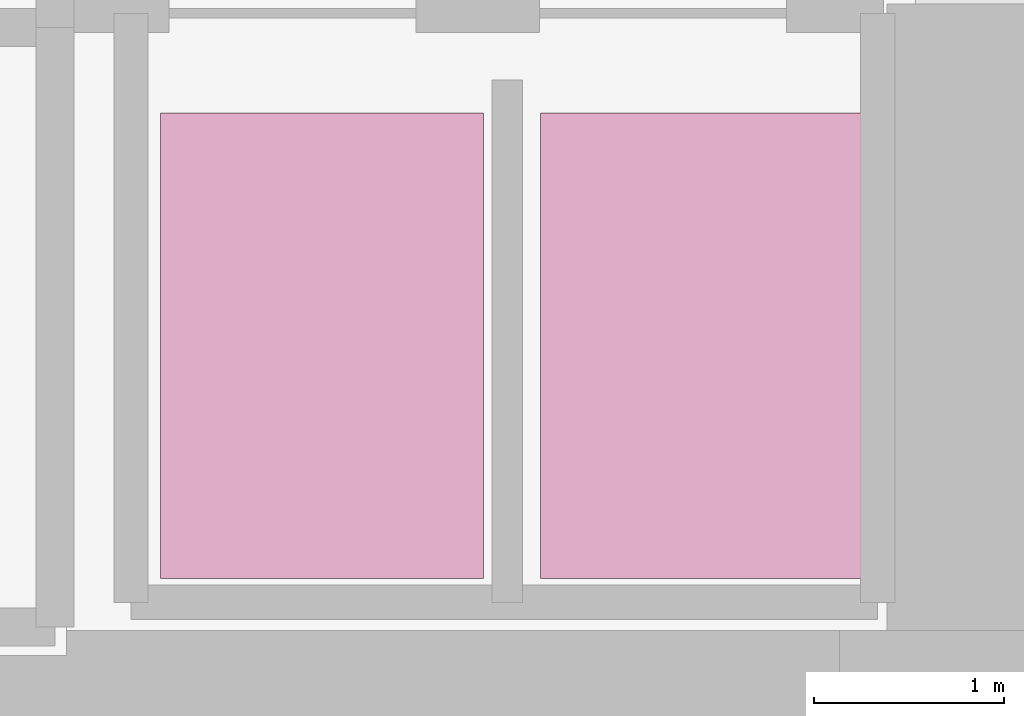
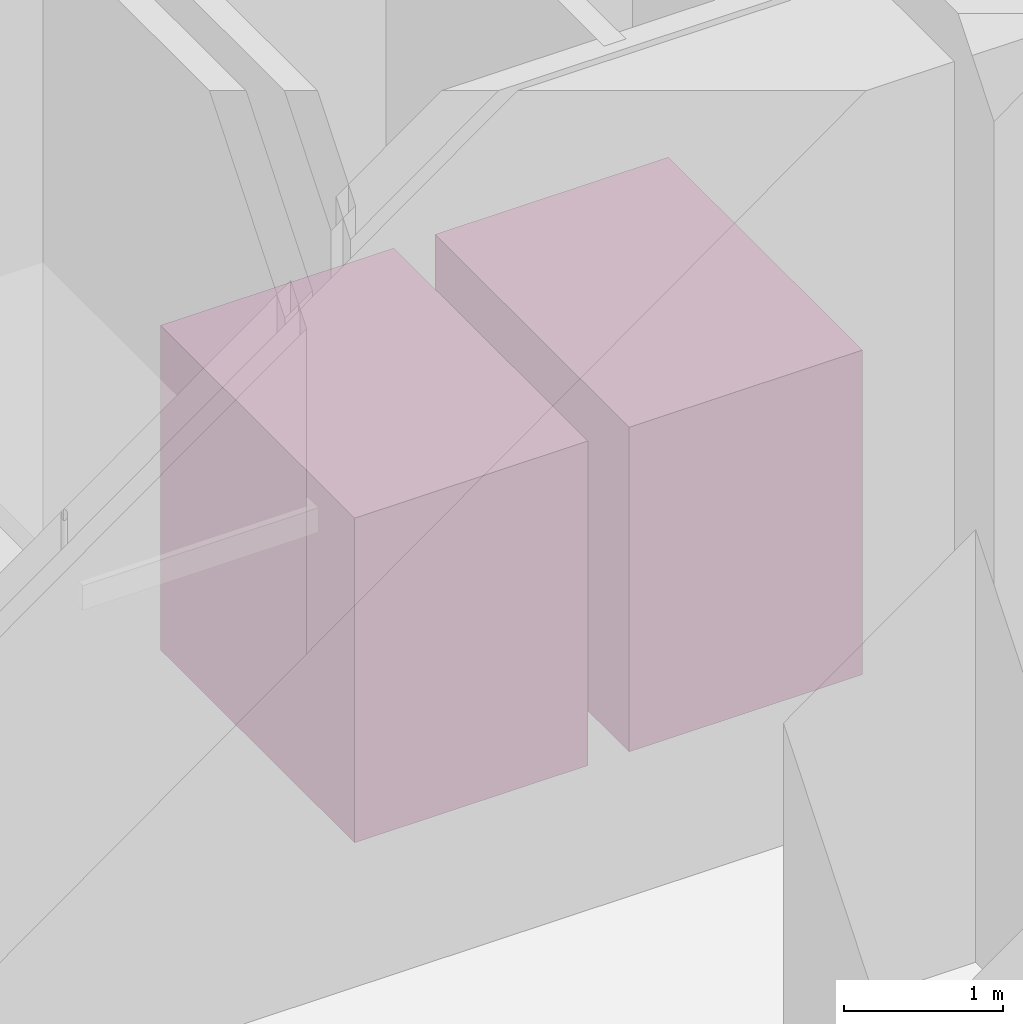
# One storey, part 37 of 37: 2 transport elements.
"""IFC4 building model written with IfcOpenShell, lengths in metres."""

import ifcopenshell
import ifcopenshell.guid

model = None  # the IFC model being written
_history = None  # IfcOwnerHistory: only IFC2X3 demands one
_inside = {}  # id of a spatial element -> (the spatial element, [elements in it])
_under = {}  # id of a project, library or spatial element -> (it, [spatial elements below it])
_declared = {}  # id of a project -> (the project, [libraries it declares])
_typed = {}  # id of a type object -> (the type object, [elements of that type])
_made_of = {}  # id of a material, layer set ... -> (it, [elements and type objects made of it])


def new_model(schema):
    """Start an empty IFC model of exactly this schema.

    Asked for "IFC4X3", IfcOpenShell would pick the latest addendum, in which some entities
    have other attributes; the version numbers below select the first issue.
    IFC2X3 requires an IfcOwnerHistory on every rooted entity: one is made here for all.
    """
    global model, _history
    if schema == "IFC4X3":
        model = ifcopenshell.file(schema_version=(4, 3, 0, 0))
    else:
        model = ifcopenshell.file(schema=schema)
    _inside.clear()
    _under.clear()
    _declared.clear()
    _typed.clear()
    _made_of.clear()
    _history = None
    if model.schema == "IFC2X3":
        org = make("IfcOrganization", Name="unknown")
        user = make(
            "IfcPersonAndOrganization",
            ThePerson=make("IfcPerson", FamilyName="unknown"),
            TheOrganization=org,
        )
        app = make(
            "IfcApplication",
            ApplicationDeveloper=org,
            Version="unknown",
            ApplicationFullName="unknown",
            ApplicationIdentifier="unknown",
        )
        _history = make(
            "IfcOwnerHistory",
            OwningUser=user,
            OwningApplication=app,
            ChangeAction="ADDED",
            CreationDate=0,
        )
    return model


def make(cls, **values):
    """One entity of the class cls with the attributes given. An attribute that is None is left unset."""
    return model.create_entity(
        cls, **{name: value for name, value in values.items() if value is not None}
    )


def rooted(cls, **values):
    """An entity with a GlobalId (a new one), such as an element, a storey or a relation."""
    return make(cls, GlobalId=ifcopenshell.guid.new(), OwnerHistory=_history, **values)


def si_unit(unit_type, name, prefix=None):
    """IfcSIUnit, for example si_unit("LENGTHUNIT", "METRE", prefix="MILLI")."""
    return make("IfcSIUnit", UnitType=unit_type, Prefix=prefix, Name=name)


def assignment(units):
    """IfcUnitAssignment: the units of a project."""
    return None if units is None else make("IfcUnitAssignment", Units=units)


def point(xyz):
    """IfcCartesianPoint."""
    return None if xyz is None else make("IfcCartesianPoint", Coordinates=xyz)


def direction(xyz):
    """IfcDirection."""
    return None if xyz is None else make("IfcDirection", DirectionRatios=xyz)


def frame(location, z_axis=None, x_axis=None):
    """IfcAxis2Placement3D, a coordinate frame: its origin and axes. An axis left out is left unset."""
    return make(
        "IfcAxis2Placement3D",
        Location=point(location),
        Axis=direction(z_axis),
        RefDirection=direction(x_axis),
    )


def frame_2d(location, x_axis=None):
    """IfcAxis2Placement2D, a coordinate frame in the plane: its origin and x axis."""
    return make(
        "IfcAxis2Placement2D", Location=point(location), RefDirection=direction(x_axis)
    )


def origin():
    """The frame at (0, 0, 0) with its axes left unset."""
    return frame((0.0, 0.0, 0.0))


def origin_2d():
    """The frame at (0, 0) in the plane with its x axis left unset."""
    return frame_2d((0.0, 0.0))


def place(relative_to, where):
    """IfcLocalPlacement: puts the frame where relative to a parent placement (None: the world)."""
    return make(
        "IfcLocalPlacement", PlacementRelTo=relative_to, RelativePlacement=where
    )


def context(
    kind, dimensions, precision=None, world=None, true_north=None, identifier=None
):
    """IfcGeometricRepresentationContext, for example the 3D "Model" context."""
    return make(
        "IfcGeometricRepresentationContext",
        ContextIdentifier=identifier,
        ContextType=kind,
        CoordinateSpaceDimension=dimensions,
        Precision=precision,
        WorldCoordinateSystem=world,
        TrueNorth=true_north,
    )


def subcontext(parent, identifier, kind, view, scale=None):
    """IfcGeometricRepresentationSubContext, for example "Body" below "Model"."""
    return make(
        "IfcGeometricRepresentationSubContext",
        ContextIdentifier=identifier,
        ContextType=kind,
        ParentContext=parent,
        TargetScale=scale,
        TargetView=view,
    )


def project(units=None, contexts=None):
    """IfcProject with its units and contexts."""
    return rooted(
        "IfcProject",
        Name="project",
        RepresentationContexts=contexts,
        UnitsInContext=assignment(units),
    )


def spatial(cls, under=None, at=None, **own):
    """A site, building, storey or space (cls), placed at a placement, below another one or the project."""
    s = rooted(cls, ObjectPlacement=at, **own)
    if under is not None:
        _under.setdefault(under.id(), (under, []))[1].append(s)
    return s


def profile(cls, at=None, kind="AREA", **sizes):
    """A parametric profile (cls). Its sizes go by their IFC names, for example OverallWidth=200.0."""
    return make(cls, ProfileType=kind, Position=at, **sizes)


def rectangle(**sizes):
    """IfcRectangleProfileDef."""
    return profile("IfcRectangleProfileDef", **sizes)


def extrude(swept, where, along, depth):
    """IfcExtrudedAreaSolid: the profile swept, set in the frame where, extruded along a direction by depth."""
    return make(
        "IfcExtrudedAreaSolid",
        SweptArea=swept,
        Position=where,
        ExtrudedDirection=direction(along),
        Depth=depth,
    )


def shape(context_of_items, identifier, shape_type, items):
    """IfcShapeRepresentation: the items that make up one representation, for example the "Body"."""
    return make(
        "IfcShapeRepresentation",
        ContextOfItems=context_of_items,
        RepresentationIdentifier=identifier,
        RepresentationType=shape_type,
        Items=items,
    )


def material(Name=None, Category=None):
    """IfcMaterial."""
    return make("IfcMaterial", Name=Name, Category=Category)


def made_of(thing, what):
    """Note that an element or type object is made of a material, layer set ...; save() writes the relation."""
    if what is not None:
        _made_of.setdefault(what.id(), (what, []))[1].append(thing)
    return thing


def type_object(cls, material=None, **own):
    """A type object (cls), such as IfcWallType, which elements share."""
    return made_of(rooted(cls, **own), material)


def element(
    cls,
    number,
    at=None,
    inside=None,
    cuts=None,
    type_object=None,
    material=None,
    context=None,
    identifier="Body",
    shape_type=None,
    held_by="IfcProductDefinitionShape",
    body=None,
    shapes=None,
    **own,
):
    """One element of the class cls, such as IfcWall. Its Tag is "e" and its number.

    at: its placement. inside: the storey or other place that contains it. cuts: it is an
    opening in that element (IfcRelVoidsElement). A single representation is given by context,
    identifier, shape_type and body (its items); several are given by shapes. held_by: the class
    of the entity that holds the representations. save() writes the other relations.
    """
    e = rooted(cls, Tag="e%d" % number, ObjectPlacement=at, **own)
    if body is not None:
        shapes = [shape(context, identifier, shape_type, body)]
    if shapes is not None:
        e.Representation = make(held_by, Representations=shapes)
    if inside is not None:
        _inside.setdefault(inside.id(), (inside, []))[1].append(e)
    if cuts is not None:
        rooted(
            "IfcRelVoidsElement", RelatingBuildingElement=cuts, RelatedOpeningElement=e
        )
    if type_object is not None:
        _typed.setdefault(type_object.id(), (type_object, []))[1].append(e)
    return made_of(e, material)


def aggregate(whole, parts):
    """IfcRelAggregates: a whole, such as a stair, and the parts it consists of."""
    return rooted("IfcRelAggregates", RelatingObject=whole, RelatedObjects=parts)


def save(model, path):
    """Write the relations noted so far, then the file.

    IfcRelAggregates (storeys below a building ...), IfcRelContainedInSpatialStructure (elements
    in a storey), IfcRelDefinesByType, IfcRelAssociatesMaterial and IfcRelDeclares: one each for
    every whole, place, type object, material and project.
    """
    for whole, parts in _under.values():
        aggregate(whole, parts)
    for where, things in _inside.values():
        rooted(
            "IfcRelContainedInSpatialStructure",
            RelatedElements=things,
            RelatingStructure=where,
        )
    for kind, things in _typed.values():
        rooted("IfcRelDefinesByType", RelatedObjects=things, RelatingType=kind)
    for what, things in _made_of.values():
        rooted("IfcRelAssociatesMaterial", RelatedObjects=things, RelatingMaterial=what)
    for by, libraries in _declared.values():
        rooted("IfcRelDeclares", RelatingContext=by, RelatedDefinitions=libraries)
    model.write(path)


model = new_model("IFC4")

# Units and contexts
model_context = context("Model", 3, precision=1e-05, world=origin(), true_north=direction((0.0, 1.0)))
body_context = subcontext(model_context, "Body", "Model", "MODEL_VIEW")
ifc_project = project(units=[si_unit("LENGTHUNIT", "METRE"), si_unit("AREAUNIT", "SQUARE_METRE"), si_unit("VOLUMEUNIT", "CUBIC_METRE"), si_unit("PLANEANGLEUNIT", "RADIAN"), si_unit("MASSUNIT", "GRAM", prefix="KILO")], contexts=[model_context])

# Site, building, storey
site_placement = place(None, origin())
site = spatial("IfcSite", under=ifc_project, at=site_placement, CompositionType="ELEMENT")
building_placement = place(site_placement, origin())
building = spatial("IfcBuilding", under=site, at=building_placement, Name="Narakoshi Arena Tower", CompositionType="ELEMENT")
storey_placement = place(building_placement, frame((0.0, 0.0, -6.0)))
storey = spatial("IfcBuildingStorey", under=building, at=storey_placement, Name="B01", CompositionType="ELEMENT", Elevation=-6.0)

# Transport elements
ifc_material = material(Name="Brushed bronze stainless steel", Category="steel")
transport_element_type = type_object("IfcTransportElementType", Name="LFT-FIRE-STR", PredefinedType="ELEVATOR", material=ifc_material)
for number, where, z_axis, x_axis, name in (
    (1, (82.02490234375, 37.0, 0.0), (0.0, 0.0, 1.0), (1.0, 0.0, 0.0), "LFT-FF1"),
    (2, (84.02490234375, 37.0, 0.0), (0.0, 0.0, 1.0), (1.0, 0.0, 0.0), "LFT-FF2"),
):
    element("IfcTransportElement", number, at=place(storey_placement, frame(where, z_axis=z_axis, x_axis=x_axis)), inside=storey, type_object=transport_element_type, Name=name, PredefinedType="ELEVATOR", context=body_context, shape_type="SweptSolid", body=[
        extrude(rectangle(XDim=1.699951171875, YDim=2.449951171875, at=origin_2d()), origin(), (0.0, 0.0, 1.0), 2.5),
    ])

save(model, "model.ifc")
